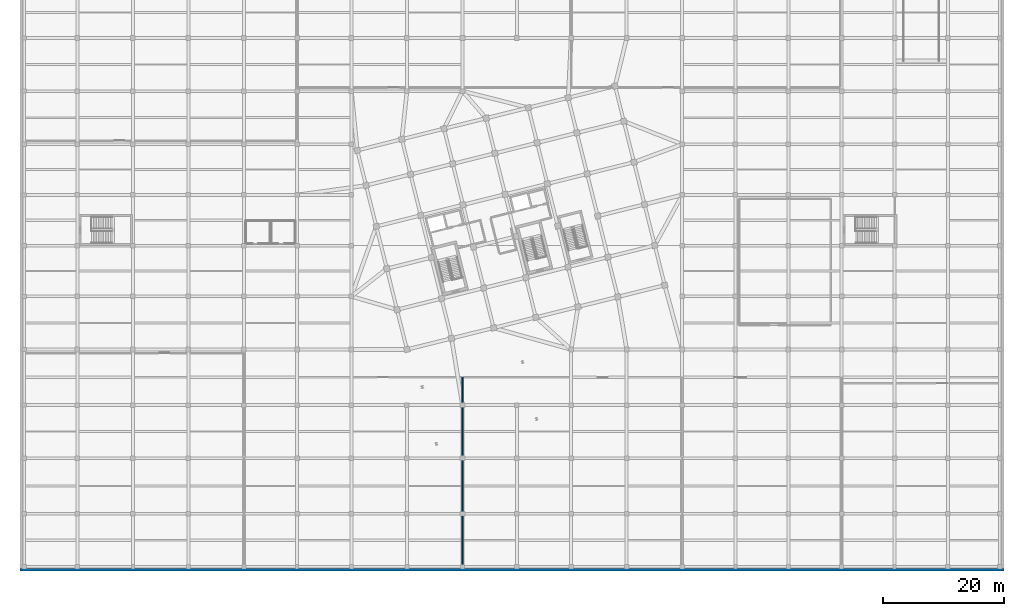
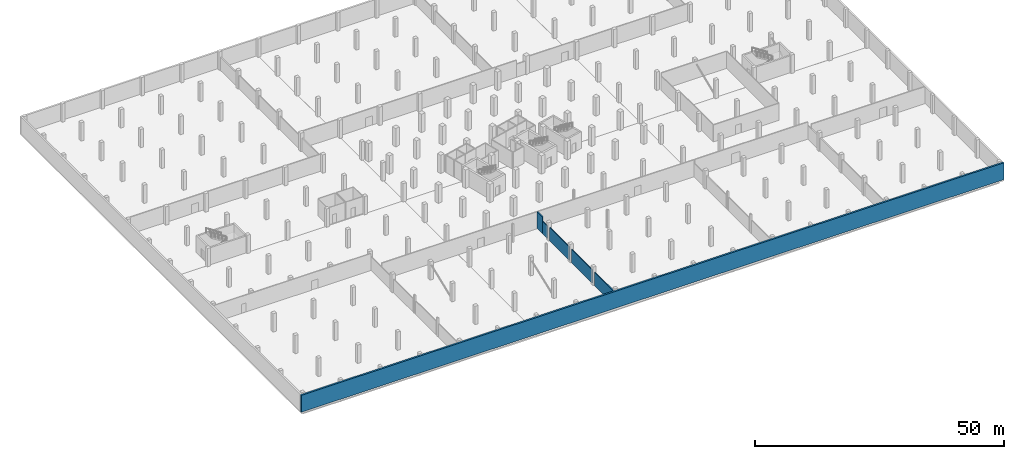
# One storey, part 21 of 31: 6 walls.
"""IFC4 building model written with IfcOpenShell, lengths in metres."""

from ifc_helpers import new_model, si_unit, direction, frame, frame_2d, origin, place, context, subcontext, project, spatial, rectangle, extrude, material, layer, layer_set, type_object, element, save


model = new_model("IFC4")

# Units and contexts
model_context = context("Model", 3, precision=1e-05, world=origin(), true_north=direction((0.0, 1.0)))
body_context = subcontext(model_context, "Body", "Model", "MODEL_VIEW")
ifc_project = project(units=[si_unit("LENGTHUNIT", "METRE"), si_unit("AREAUNIT", "SQUARE_METRE"), si_unit("VOLUMEUNIT", "CUBIC_METRE"), si_unit("PLANEANGLEUNIT", "RADIAN"), si_unit("MASSUNIT", "GRAM", prefix="KILO")], contexts=[model_context])

# Site, building, storey
site_placement = place(None, origin())
site = spatial("IfcSite", under=ifc_project, at=site_placement, CompositionType="ELEMENT")
building_placement = place(site_placement, origin())
building = spatial("IfcBuilding", under=site, at=building_placement, Name="Meriwether Solvik Hall", CompositionType="ELEMENT")
storey_placement = place(building_placement, frame((0.0, 0.0, -4.5)))
storey = spatial("IfcBuildingStorey", under=building, at=storey_placement, Name="B01", CompositionType="ELEMENT", Elevation=-4.5)

# Walls
ifc_material_1 = material(Name="Concrete C40/50", Category="concrete")
ifc_layer_1 = layer(ifc_material_1, 0.39990234375)
ifc_layer_set_1 = layer_set([ifc_layer_1], Name="Concrete C40/50")
wall_type_1 = type_object("IfcWallType", Name="WALL-BSMT-400", PredefinedType="STANDARD", material=ifc_layer_set_1)
wall_1_placement = place(storey_placement, frame((4.5, 4.699951171875, 0.0), z_axis=(0.0, 0.0, 1.0), x_axis=(1.0, 0.0, 0.0)))
element("IfcWall", 1, at=wall_1_placement, inside=storey, type_object=wall_type_1, Name="B01 Perimeter Retaining Wall S", PredefinedType="STANDARD", context=body_context, shape_type="SweptSolid", body=[
    extrude(rectangle(XDim=163.0, YDim=0.39990234375, at=frame_2d((81.5, 0.0))), origin(), (0.0, 0.0, 1.0), 4.139892578125),
])
ifc_material_2 = material(Name="Grouted Concrete Masonry Unit Block", Category="masonry")
ifc_layer_2 = layer(ifc_material_2, 0.18994140625)
ifc_layer_set_2 = layer_set([ifc_layer_2], Name="Grouted Concrete Masonry Unit Block")
wall_type_2 = type_object("IfcWallType", Name="WALL-CMU-190", PredefinedType="STANDARD", material=ifc_layer_set_2)
wall_2_placement = place(storey_placement, frame((77.800048828125, 5.639892578125, 0.0), z_axis=(0.0, 0.0, 1.0), x_axis=(0.0, 1.0, 0.0)))
element("IfcWall", 2, at=wall_2_placement, inside=storey, type_object=wall_type_2, Name="B01 Interior Partition ev_south_e", PredefinedType="STANDARD", context=body_context, shape_type="SweptSolid", body=[
    extrude(rectangle(XDim=7.920166015625, YDim=0.18994140625, at=frame_2d((3.9599609375, 0.0))), origin(), (0.0, 0.0, 1.0), 3.2900390625),
])
wall_3_placement = place(storey_placement, frame((77.800048828125, 14.43994140625, 0.0), z_axis=(0.0, 0.0, 1.0), x_axis=(0.0, 1.0, 0.0)))
element("IfcWall", 3, at=wall_3_placement, inside=storey, type_object=wall_type_2, Name="B01 Interior Partition ev_south_e_s2", PredefinedType="STANDARD", context=body_context, shape_type="SweptSolid", body=[
    extrude(rectangle(XDim=8.320068359375, YDim=0.18994140625, at=frame_2d((4.16015625, 0.0))), origin(), (0.0, 0.0, 1.0), 3.2900390625),
])
wall_4_placement = place(storey_placement, frame((77.800048828125, 23.639892578125, 0.0), z_axis=(0.0, 0.0, 1.0), x_axis=(0.0, 1.0, 0.0)))
element("IfcWall", 4, at=wall_4_placement, inside=storey, type_object=wall_type_2, Name="B01 Interior Partition ev_south_e_s3", PredefinedType="STANDARD", context=body_context, shape_type="SweptSolid", body=[
    extrude(rectangle(XDim=7.920166015625, YDim=0.18994140625, at=frame_2d((3.9599609375, 0.0))), origin(), (0.0, 0.0, 1.0), 3.2900390625),
])
wall_5_placement = place(storey_placement, frame((77.800048828125, 32.43994140625, 0.0), z_axis=(0.0, 0.0, 1.0), x_axis=(0.0, 1.0, 0.0)))
element("IfcWall", 5, at=wall_5_placement, inside=storey, type_object=wall_type_2, Name="B01 Interior Partition ev_south_e_s4", PredefinedType="STANDARD", context=body_context, shape_type="SweptSolid", body=[
    extrude(rectangle(XDim=1.972900390625, YDim=0.18994140625, at=frame_2d((0.986328125, 0.0))), origin(), (0.0, 0.0, 1.0), 3.090087890625),
])
wall_6_placement = place(storey_placement, frame((77.800048828125, 34.412841796875, 0.0), z_axis=(0.0, 0.0, 1.0), x_axis=(0.0, 1.0, 0.0)))
element("IfcWall", 6, at=wall_6_placement, inside=storey, type_object=wall_type_2, Name="B01 Interior Partition ev_south_e_s5", PredefinedType="STANDARD", context=body_context, shape_type="SweptSolid", body=[
    extrude(rectangle(XDim=2.187255859375, YDim=0.18994140625, at=frame_2d((1.09375, 0.0))), origin(), (0.0, 0.0, 1.0), 4.139892578125),
])

save(model, "model.ifc")
